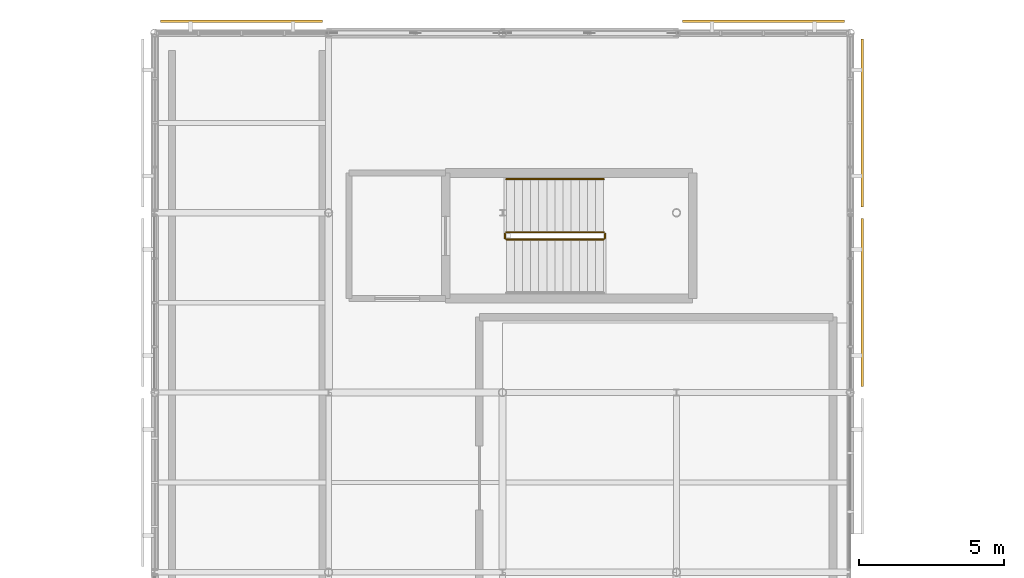
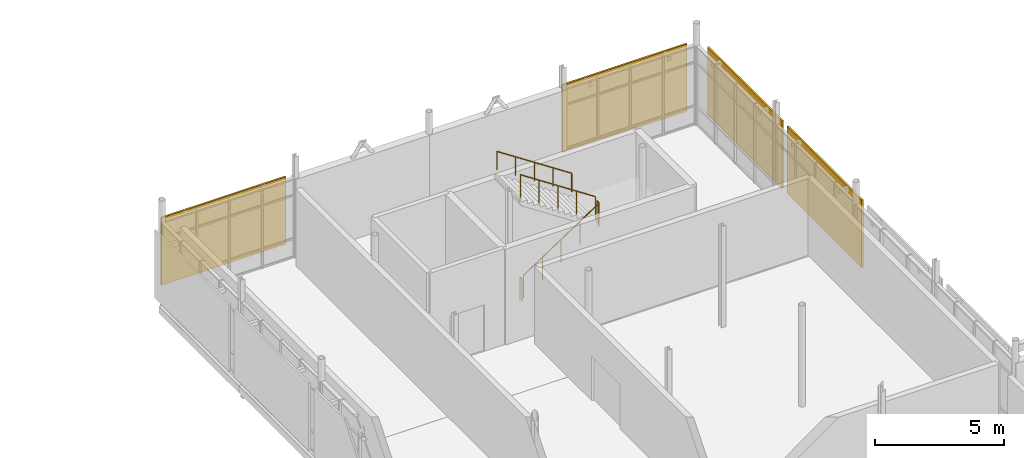
# One storey, part 48 of 48: 5 railings, 4 shading devices.
"""IFC4 building model written with IfcOpenShell, lengths in metres."""

from ifc_helpers import new_model, si_unit, direction, frame, origin, origin_2d, place, context, subcontext, project, spatial, rectangle, circle, extrude, material, layer, layer_set, type_object, element, save


model = new_model("IFC4")

# Units and contexts
model_context = context("Model", 3, precision=1e-05, world=origin(), true_north=direction((0.0, 1.0)))
body_context = subcontext(model_context, "Body", "Model", "MODEL_VIEW")
ifc_project = project(units=[si_unit("LENGTHUNIT", "METRE"), si_unit("AREAUNIT", "SQUARE_METRE"), si_unit("VOLUMEUNIT", "CUBIC_METRE"), si_unit("PLANEANGLEUNIT", "RADIAN"), si_unit("MASSUNIT", "GRAM", prefix="KILO")], contexts=[model_context])

# Site, building, storey
site_placement = place(None, origin())
site = spatial("IfcSite", under=ifc_project, at=site_placement, CompositionType="ELEMENT")
building_placement = place(site_placement, origin())
building = spatial("IfcBuilding", under=site, at=building_placement, Name="Mirzam Square Science Centre", CompositionType="ELEMENT")
storey_placement = place(building_placement, frame((0.0, 0.0, 20.39990234375)))
storey = spatial("IfcBuildingStorey", under=building, at=storey_placement, Name="L04", CompositionType="ELEMENT", Elevation=20.39990234375)

# Railings
ifc_material_1 = material(Name="Bronze-Anodised Architectural Balustrade", Category="aluminium")
railing_type_1 = type_object("IfcRailingType", Name="RL-INT-GUARD-1100", PredefinedType="GUARDRAIL", material=ifc_material_1)
railing_1_placement = place(storey_placement, frame((126.1298828125, 104.47998046875, 0.184814453125)))
element("IfcRailing", 1, at=railing_1_placement, inside=storey, type_object=railing_type_1, Name="L04 ST-11 stair guard 1", PredefinedType="GUARDRAIL", context=body_context, shape_type="SweptSolid", body=[
    extrude(circle(Radius=0.02392578125, at=origin_2d()), frame((0.0, 0.0, 1.076171875), z_axis=(0.834876476806, 0.0, 0.550437342915), x_axis=(0.0, 1.0, 0.0)), (0.0, 0.0, 1.0), 4.024658203125),
    extrude(circle(Radius=0.02099609375, at=origin_2d()), origin(), (0.0, 0.0, 1.0), 1.052001953125),
    extrude(circle(Radius=0.02099609375, at=origin_2d()), frame((0.840087890625, 0.0, 0.5537109375)), (0.0, 0.0, 1.0), 1.052001953125),
    extrude(circle(Radius=0.02099609375, at=origin_2d()), frame((1.68017578125, 0.0, 1.107666015625)), (0.0, 0.0, 1.0), 1.052001953125),
    extrude(circle(Radius=0.02099609375, at=origin_2d()), frame((2.52001953125, 0.0, 1.66162109375)), (0.0, 0.0, 1.0), 1.052001953125),
    extrude(circle(Radius=0.02099609375, at=origin_2d()), frame((3.360107421875, 0.0, 2.21533203125)), (0.0, 0.0, 1.0), 1.052001953125),
])
railing_2_placement = place(storey_placement, frame((129.5400390625, 104.530029296875, 2.400146484375)))
element("IfcRailing", 2, at=railing_2_placement, inside=storey, type_object=railing_type_1, Name="L04 ST-11 stair guard 2", PredefinedType="GUARDRAIL", context=body_context, shape_type="SweptSolid", body=[
    extrude(circle(Radius=0.02392578125, at=origin_2d()), frame((0.0, 0.0, 1.076171875), z_axis=(0.0, 1.0, 0.0), x_axis=(-1.0, 0.0, 0.0)), (0.0, 0.0, 1.0), 0.14990234375),
    extrude(circle(Radius=0.02099609375, at=origin_2d()), origin(), (0.0, 0.0, 1.0), 1.052001953125),
    extrude(circle(Radius=0.02099609375, at=origin_2d()), frame((0.0, 0.14990234375, 0.0)), (0.0, 0.0, 1.0), 1.052001953125),
])
railing_3_placement = place(storey_placement, frame((129.489990234375, 104.72998046875, 2.584716796875)))
element("IfcRailing", 3, at=railing_3_placement, inside=storey, type_object=railing_type_1, Name="L04 ST-11 stair guard 3", PredefinedType="GUARDRAIL", context=body_context, shape_type="SweptSolid", body=[
    extrude(circle(Radius=0.02392578125, at=origin_2d()), frame((0.0, 0.0, 1.076171875), z_axis=(-0.834876476806, 0.0, 0.550437342915), x_axis=(0.0, -1.0, 0.0)), (0.0, 0.0, 1.0), 4.024658203125),
    extrude(circle(Radius=0.02099609375, at=origin_2d()), origin(), (0.0, 0.0, 1.0), 1.052001953125),
    extrude(circle(Radius=0.02099609375, at=origin_2d()), frame((-0.840087890625, 0.0, 0.5537109375)), (0.0, 0.0, 1.0), 1.052001953125),
    extrude(circle(Radius=0.02099609375, at=origin_2d()), frame((-1.68017578125, 0.0, 1.107666015625)), (0.0, 0.0, 1.0), 1.052001953125),
    extrude(circle(Radius=0.02099609375, at=origin_2d()), frame((-2.52001953125, 0.0, 1.66162109375)), (0.0, 0.0, 1.0), 1.052001953125),
    extrude(circle(Radius=0.02099609375, at=origin_2d()), frame((-3.360107421875, 0.0, 2.21533203125)), (0.0, 0.0, 1.0), 1.052001953125),
])
railing_4_placement = place(storey_placement, frame((126.080078125, 104.530029296875, 0.0)))
element("IfcRailing", 4, at=railing_4_placement, inside=storey, type_object=railing_type_1, Name="L04 ST-11 stair guard 4", PredefinedType="GUARDRAIL", context=body_context, shape_type="SweptSolid", body=[
    extrude(circle(Radius=0.02392578125, at=origin_2d()), frame((0.0, 0.0, 1.076171875), z_axis=(0.0, 1.0, 0.0), x_axis=(-1.0, 0.0, 0.0)), (0.0, 0.0, 1.0), 0.14990234375),
    extrude(circle(Radius=0.02099609375, at=origin_2d()), origin(), (0.0, 0.0, 1.0), 1.052001953125),
    extrude(circle(Radius=0.02099609375, at=origin_2d()), frame((0.0, 0.14990234375, 0.0)), (0.0, 0.0, 1.0), 1.052001953125),
])
ifc_material_2 = material(Name="Brushed Bronze Tubular Handrail", Category="aluminium")
railing_type_2 = type_object("IfcRailingType", Name="RL-STAIR-HANDRAIL-900", PredefinedType="HANDRAIL", material=ifc_material_2)
railing_5_placement = place(storey_placement, frame((129.489990234375, 106.56005859375, 2.78125)))
element("IfcRailing", 5, at=railing_5_placement, inside=storey, type_object=railing_type_2, Name="L04 ST-11 stair handrail 2", PredefinedType="HANDRAIL", context=body_context, shape_type="SweptSolid", body=[
    extrude(circle(Radius=0.02392578125, at=origin_2d()), frame((0.0, 0.0, 0.8759765625), z_axis=(-0.834848600103, 0.0, 0.550479622607), x_axis=(0.0, -1.0, 0.0)), (0.0, 0.0, 1.0), 4.02490234375),
    extrude(circle(Radius=0.02099609375, at=origin_2d()), origin(), (0.0, 0.0, 1.0), 0.851806640625),
    extrude(circle(Radius=0.02099609375, at=origin_2d()), frame((-0.840087890625, 0.0, 0.553955078125)), (0.0, 0.0, 1.0), 0.851806640625),
    extrude(circle(Radius=0.02099609375, at=origin_2d()), frame((-1.68017578125, 0.0, 1.10791015625)), (0.0, 0.0, 1.0), 0.851806640625),
    extrude(circle(Radius=0.02099609375, at=origin_2d()), frame((-2.52001953125, 0.0, 1.66162109375)), (0.0, 0.0, 1.0), 0.851806640625),
    extrude(circle(Radius=0.02099609375, at=origin_2d()), frame((-3.360107421875, 0.0, 2.215576171875)), (0.0, 0.0, 1.0), 0.851806640625),
])

# Shading devices
ifc_material_3 = material(Name="Perforated Bronze-Anodised Aluminium Brise-Soleil", Category="aluminium")
ifc_layer = layer(ifc_material_3, 0.080078125)
ifc_layer_set = layer_set([ifc_layer], Name="SHD-BRISE-BRONZE")
shading_device_type = type_object("IfcShadingDeviceType", Name="SHD-BRISE-BRONZE", PredefinedType="JALOUSIE", material=ifc_layer_set)
for number, where, z_axis, x_axis, name in (
    (6, (117.0, 112.010009765625, 0.41015625), (0.0, 0.0, 1.0), (-1.0, 0.0, 0.0), "L04 bronze brise-soleil screen 146"),
    (7, (135.0, 112.010009765625, 0.41015625), (0.0, 0.0, 1.0), (-1.0, 0.0, 0.0), "L04 bronze brise-soleil screen 147"),
):
    element("IfcShadingDevice", number, at=place(storey_placement, frame(where, z_axis=z_axis, x_axis=x_axis)), inside=storey, type_object=shading_device_type, Name=name, PredefinedType="JALOUSIE", context=body_context, shape_type="SweptSolid", body=[
        extrude(rectangle(XDim=5.590087890625, YDim=0.080078125, at=origin_2d()), origin(), (0.0, 0.0, 1.0), 3.199951171875),
    ])
for number, where, z_axis, x_axis, name in (
    (8, (138.409912109375, 102.300048828125, 0.41015625), (0.0, 0.0, 1.0), (0.0, 1.0, 0.0), "L04 bronze brise-soleil screen 153"),
    (9, (138.409912109375, 108.5, 0.41015625), (0.0, 0.0, 1.0), (0.0, 1.0, 0.0), "L04 bronze brise-soleil screen 155"),
):
    element("IfcShadingDevice", number, at=place(storey_placement, frame(where, z_axis=z_axis, x_axis=x_axis)), inside=storey, type_object=shading_device_type, Name=name, PredefinedType="JALOUSIE", context=body_context, shape_type="SweptSolid", body=[
        extrude(rectangle(XDim=5.7900390625, YDim=0.080078125, at=origin_2d()), origin(), (0.0, 0.0, 1.0), 3.199951171875),
    ])

save(model, "model.ifc")
